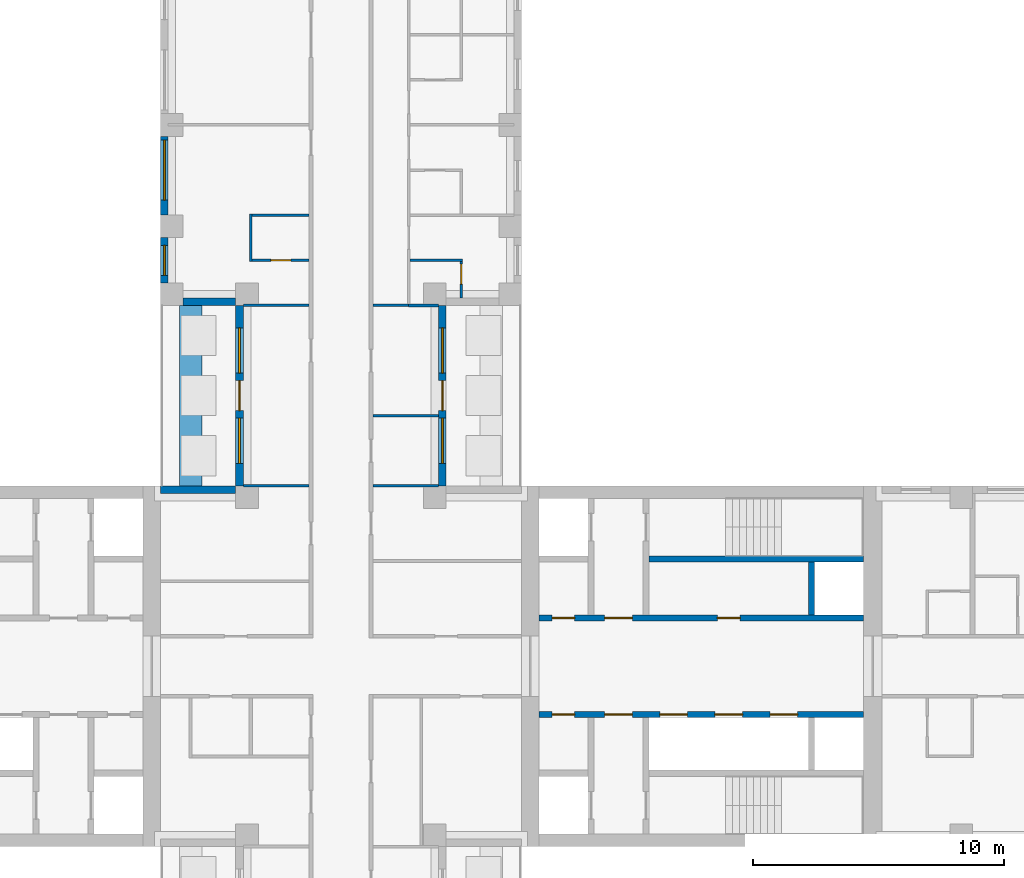
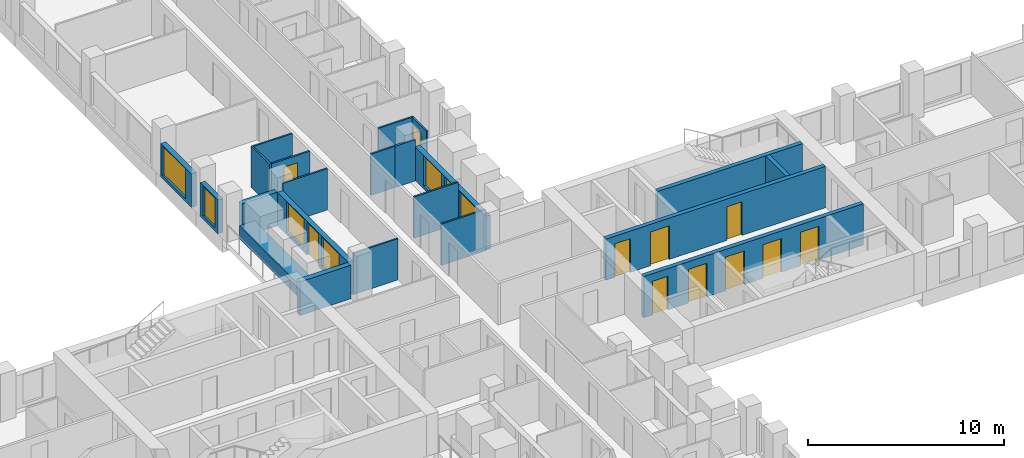
# One storey, part 8 of 15: 22 walls, 12 doors, 6 windows, 18 openings.
"""IFC4 building model written with IfcOpenShell, lengths in metres."""

from ifc_helpers import new_model, si_unit, direction, frame, frame_2d, origin, place, context, subcontext, project, spatial, rectangle, extrude, material, layer, layer_set, type_object, element, fill, save


model = new_model("IFC4")

# Units and contexts
model_context = context("Model", 3, precision=1e-05, world=origin(), true_north=direction((0.0, 1.0)))
body_context = subcontext(model_context, "Body", "Model", "MODEL_VIEW")
ifc_project = project(units=[si_unit("LENGTHUNIT", "METRE"), si_unit("AREAUNIT", "SQUARE_METRE"), si_unit("VOLUMEUNIT", "CUBIC_METRE"), si_unit("PLANEANGLEUNIT", "RADIAN"), si_unit("MASSUNIT", "GRAM", prefix="KILO")], contexts=[model_context])

# Site, building, storey
site_placement = place(None, origin())
site = spatial("IfcSite", under=ifc_project, at=site_placement, CompositionType="ELEMENT")
building_placement = place(site_placement, origin())
building = spatial("IfcBuilding", under=site, at=building_placement, Name="Fustian Cross Tower", CompositionType="ELEMENT")
storey_placement = place(building_placement, frame((0.0, 0.0, 35.699951171875)))
storey = spatial("IfcBuildingStorey", under=building, at=storey_placement, Name="L10", CompositionType="ELEMENT", Elevation=35.699951171875)

# Wall, openings, doors
ifc_material_1 = material(Name="Concrete C50/60", Category="concrete")
ifc_layer_1 = layer(ifc_material_1, 0.25)
ifc_layer_set_1 = layer_set([ifc_layer_1], Name="Concrete C50/60")
wall_type_1 = type_object("IfcWallType", Name="CORE LOBBY WALL 250 C50/60", PredefinedType="SHEAR", material=ifc_layer_set_1)
wall_1_placement = place(storey_placement, frame((7.89990234375, 1.925048828125, 0.0), z_axis=(0.0, 0.0, 1.0), x_axis=(1.0, 0.0, 0.0)))
wall_1 = element("IfcWall", 1, at=wall_1_placement, inside=storey, type_object=wall_type_1, Name="Core lobby wall", PredefinedType="SHEAR", context=body_context, shape_type="SweptSolid", body=[
    extrude(rectangle(XDim=12.9501953125, YDim=0.25, at=frame_2d((6.47509765625, 0.0))), origin(), (0.0, 0.0, 1.0), 2.574951171875),
])
opening_1_placement = place(wall_1_placement, frame((0.52490234375, 0.0, 0.0)))
opening_1 = element("IfcOpeningElement", 2, at=opening_1_placement, cuts=wall_1, Name="Opening CD-04-08", PredefinedType="OPENING", context=body_context, shape_type="SweptSolid", body=[
    extrude(rectangle(XDim=0.89990234375, YDim=2.10009765625, at=frame_2d((0.449951171875, 1.050048828125))), frame((0.0, 0.135009765625, 0.0), z_axis=(0.0, -1.0, 0.0), x_axis=(1.0, 0.0, 0.0)), (0.0, 0.0, 1.0), 0.27001953125),
])
opening_2_placement = place(wall_1_placement, frame((2.625, 0.0, 0.0)))
opening_2 = element("IfcOpeningElement", 3, at=opening_2_placement, cuts=wall_1, Name="Opening CD-04-10", PredefinedType="OPENING", context=body_context, shape_type="SweptSolid", body=[
    extrude(rectangle(XDim=1.10009765625, YDim=2.10009765625, at=frame_2d((0.550048828125, 1.050048828125))), frame((0.0, 0.135009765625, 0.0), z_axis=(0.0, -1.0, 0.0), x_axis=(1.0, 0.0, 0.0)), (0.0, 0.0, 1.0), 0.27001953125),
])
opening_3_placement = place(wall_1_placement, frame((7.125, 0.0, 0.0)))
opening_3 = element("IfcOpeningElement", 4, at=opening_3_placement, cuts=wall_1, Name="Opening CD-04-14", PredefinedType="OPENING", context=body_context, shape_type="SweptSolid", body=[
    extrude(rectangle(XDim=0.89990234375, YDim=2.10009765625, at=frame_2d((0.449951171875, 1.050048828125))), frame((0.0, 0.135009765625, 0.0), z_axis=(0.0, -1.0, 0.0), x_axis=(1.0, 0.0, 0.0)), (0.0, 0.0, 1.0), 0.27001953125),
])
ifc_material_2 = material(Name="Steel", Category="steel")
door_type_1 = type_object("IfcDoorType", Name="FIRE DOOR FD30S 900X2100", OperationType="SINGLE_SWING_LEFT", PredefinedType="DOOR", material=ifc_material_2)
door_1_placement = place(opening_3_placement, origin())
door_1 = element("IfcDoor", 5, at=door_1_placement, inside=storey, type_object=door_type_1, Name="Core door CD-04-14", OperationType="SINGLE_SWING_LEFT", OverallHeight=2.10009765625, OverallWidth=0.89990234375, PredefinedType="DOOR", context=body_context, shape_type="SweptSolid", body=[
    extrude(rectangle(XDim=0.89990234375, YDim=2.10009765625, at=frame_2d((0.449951171875, 1.050048828125))), frame((0.0, 0.02490234375, 0.0), z_axis=(0.0, -1.0, 0.0), x_axis=(1.0, 0.0, 0.0)), (0.0, 0.0, 1.0), 0.050048828125),
])
fill(opening_3, door_1)
ifc_material_3 = material(Name="Steel", Category="steel")
door_type_2 = type_object("IfcDoorType", Name="FIRE DOOR FD60S 1100X2100", OperationType="SINGLE_SWING_LEFT", PredefinedType="DOOR", material=ifc_material_3)
door_2_placement = place(opening_2_placement, frame((1.10009765625, 0.0, 0.0), z_axis=(0.0, 0.0, 1.0), x_axis=(-1.0, 0.0, 0.0)))
door_2 = element("IfcDoor", 6, at=door_2_placement, inside=storey, type_object=door_type_2, Name="Core door CD-04-10", OperationType="SINGLE_SWING_RIGHT", OverallHeight=2.10009765625, OverallWidth=1.10009765625, PredefinedType="DOOR", context=body_context, shape_type="SweptSolid", body=[
    extrude(rectangle(XDim=1.10009765625, YDim=2.10009765625, at=frame_2d((0.550048828125, 1.050048828125))), frame((0.0, 0.02490234375, 0.0), z_axis=(0.0, -1.0, 0.0), x_axis=(1.0, 0.0, 0.0)), (0.0, 0.0, 1.0), 0.050048828125),
])
fill(opening_2, door_2)
ifc_material_4 = material(Name="Steel", Category="steel")
door_type_3 = type_object("IfcDoorType", Name="FIRE DOOR FD60S 900X2100", OperationType="SINGLE_SWING_LEFT", PredefinedType="DOOR", material=ifc_material_4)
door_3_placement = place(opening_1_placement, origin())
door_3 = element("IfcDoor", 7, at=door_3_placement, inside=storey, type_object=door_type_3, Name="Core door CD-04-08", OperationType="SINGLE_SWING_LEFT", OverallHeight=2.10009765625, OverallWidth=0.89990234375, PredefinedType="DOOR", context=body_context, shape_type="SweptSolid", body=[
    extrude(rectangle(XDim=0.89990234375, YDim=2.10009765625, at=frame_2d((0.449951171875, 1.050048828125))), frame((0.0, 0.02490234375, 0.0), z_axis=(0.0, -1.0, 0.0), x_axis=(1.0, 0.0, 0.0)), (0.0, 0.0, 1.0), 0.050048828125),
])
fill(opening_1, door_3)

wall_2_placement = place(storey_placement, frame((7.89990234375, -1.925048828125, 0.0), z_axis=(0.0, 0.0, 1.0), x_axis=(1.0, 0.0, 0.0)))
wall_2 = element("IfcWall", 8, at=wall_2_placement, inside=storey, type_object=wall_type_1, Name="Core lobby wall", PredefinedType="SHEAR", context=body_context, shape_type="SweptSolid", body=[
    extrude(rectangle(XDim=12.9501953125, YDim=0.25, at=frame_2d((6.47509765625, 0.0))), origin(), (0.0, 0.0, 1.0), 2.574951171875),
])
opening_4_placement = place(wall_2_placement, frame((4.824951171875, 0.0, 0.0)))
opening_4 = element("IfcOpeningElement", 9, at=opening_4_placement, cuts=wall_2, Name="Opening LD", PredefinedType="OPENING", context=body_context, shape_type="SweptSolid", body=[
    extrude(rectangle(XDim=1.10009765625, YDim=2.10009765625, at=frame_2d((0.550048828125, 1.050048828125))), frame((0.0, 0.135009765625, 0.0), z_axis=(0.0, -1.0, 0.0), x_axis=(1.0, 0.0, 0.0)), (0.0, 0.0, 1.0), 0.27001953125),
])
opening_5_placement = place(wall_2_placement, frame((7.02490234375, 0.0, 0.0)))
opening_5 = element("IfcOpeningElement", 10, at=opening_5_placement, cuts=wall_2, Name="Opening LD", PredefinedType="OPENING", context=body_context, shape_type="SweptSolid", body=[
    extrude(rectangle(XDim=1.10009765625, YDim=2.10009765625, at=frame_2d((0.550048828125, 1.050048828125))), frame((0.0, 0.135009765625, 0.0), z_axis=(0.0, -1.0, 0.0), x_axis=(1.0, 0.0, 0.0)), (0.0, 0.0, 1.0), 0.27001953125),
])
opening_6_placement = place(wall_2_placement, frame((9.22509765625, 0.0, 0.0)))
opening_6 = element("IfcOpeningElement", 11, at=opening_6_placement, cuts=wall_2, Name="Opening LD", PredefinedType="OPENING", context=body_context, shape_type="SweptSolid", body=[
    extrude(rectangle(XDim=1.10009765625, YDim=2.10009765625, at=frame_2d((0.550048828125, 1.050048828125))), frame((0.0, 0.135009765625, 0.0), z_axis=(0.0, -1.0, 0.0), x_axis=(1.0, 0.0, 0.0)), (0.0, 0.0, 1.0), 0.27001953125),
])
opening_7_placement = place(wall_2_placement, frame((0.52490234375, 0.0, 0.0)))
opening_7 = element("IfcOpeningElement", 12, at=opening_7_placement, cuts=wall_2, Name="Opening CD-04-09", PredefinedType="OPENING", context=body_context, shape_type="SweptSolid", body=[
    extrude(rectangle(XDim=0.89990234375, YDim=2.10009765625, at=frame_2d((0.449951171875, 1.050048828125))), frame((0.0, 0.135009765625, 0.0), z_axis=(0.0, -1.0, 0.0), x_axis=(1.0, 0.0, 0.0)), (0.0, 0.0, 1.0), 0.27001953125),
])
opening_8_placement = place(wall_2_placement, frame((2.625, 0.0, 0.0)))
opening_8 = element("IfcOpeningElement", 13, at=opening_8_placement, cuts=wall_2, Name="Opening CD-04-11", PredefinedType="OPENING", context=body_context, shape_type="SweptSolid", body=[
    extrude(rectangle(XDim=1.10009765625, YDim=2.10009765625, at=frame_2d((0.550048828125, 1.050048828125))), frame((0.0, 0.135009765625, 0.0), z_axis=(0.0, -1.0, 0.0), x_axis=(1.0, 0.0, 0.0)), (0.0, 0.0, 1.0), 0.27001953125),
])
ifc_material_5 = material(Name="Steel", Category="steel")
door_type_4 = type_object("IfcDoorType", Name="FIRE DOOR FD30S 1100X2100", OperationType="SINGLE_SWING_LEFT", PredefinedType="DOOR", material=ifc_material_5)
door_4_placement = place(opening_8_placement, frame((1.10009765625, 0.0, 0.0), z_axis=(0.0, 0.0, 1.0), x_axis=(-1.0, 0.0, 0.0)))
door_4 = element("IfcDoor", 14, at=door_4_placement, inside=storey, type_object=door_type_4, Name="Core door CD-04-11", OperationType="SINGLE_SWING_RIGHT", OverallHeight=2.10009765625, OverallWidth=1.10009765625, PredefinedType="DOOR", context=body_context, shape_type="SweptSolid", body=[
    extrude(rectangle(XDim=1.10009765625, YDim=2.10009765625, at=frame_2d((0.550048828125, 1.050048828125))), frame((0.0, 0.02490234375, 0.0), z_axis=(0.0, -1.0, 0.0), x_axis=(1.0, 0.0, 0.0)), (0.0, 0.0, 1.0), 0.050048828125),
])
fill(opening_8, door_4)
door_5_placement = place(opening_7_placement, frame((0.89990234375, 0.0, 0.0), z_axis=(0.0, 0.0, 1.0), x_axis=(-1.0, 0.0, 0.0)))
door_5 = element("IfcDoor", 15, at=door_5_placement, inside=storey, type_object=door_type_1, Name="Core door CD-04-09", OperationType="SINGLE_SWING_RIGHT", OverallHeight=2.10009765625, OverallWidth=0.89990234375, PredefinedType="DOOR", context=body_context, shape_type="SweptSolid", body=[
    extrude(rectangle(XDim=0.89990234375, YDim=2.10009765625, at=frame_2d((0.449951171875, 1.050048828125))), frame((0.0, 0.02490234375, 0.0), z_axis=(0.0, -1.0, 0.0), x_axis=(1.0, 0.0, 0.0)), (0.0, 0.0, 1.0), 0.050048828125),
])
fill(opening_7, door_5)
ifc_material_6 = material(Name="Stainless steel", Category="steel")
door_type_5 = type_object("IfcDoorType", Name="LIFT LANDING DOOR 1100X2100", OperationType="SLIDING_TO_LEFT", PredefinedType="DOOR", material=ifc_material_6)
door_6_placement = place(opening_4_placement, origin())
door_6 = element("IfcDoor", 16, at=door_6_placement, inside=storey, type_object=door_type_5, Name="Landing door LR1", OperationType="SLIDING_TO_LEFT", OverallHeight=2.10009765625, OverallWidth=1.10009765625, PredefinedType="DOOR", context=body_context, shape_type="SweptSolid", body=[
    extrude(rectangle(XDim=1.10009765625, YDim=2.10009765625, at=frame_2d((0.550048828125, 1.050048828125))), frame((0.0, 0.02490234375, 0.0), z_axis=(0.0, -1.0, 0.0), x_axis=(1.0, 0.0, 0.0)), (0.0, 0.0, 1.0), 0.050048828125),
])
fill(opening_4, door_6)
door_7_placement = place(opening_5_placement, origin())
door_7 = element("IfcDoor", 17, at=door_7_placement, inside=storey, type_object=door_type_5, Name="Landing door LR2", OperationType="SLIDING_TO_LEFT", OverallHeight=2.10009765625, OverallWidth=1.10009765625, PredefinedType="DOOR", context=body_context, shape_type="SweptSolid", body=[
    extrude(rectangle(XDim=1.10009765625, YDim=2.10009765625, at=frame_2d((0.550048828125, 1.050048828125))), frame((0.0, 0.02490234375, 0.0), z_axis=(0.0, -1.0, 0.0), x_axis=(1.0, 0.0, 0.0)), (0.0, 0.0, 1.0), 0.050048828125),
])
fill(opening_5, door_7)
door_8_placement = place(opening_6_placement, origin())
door_8 = element("IfcDoor", 18, at=door_8_placement, inside=storey, type_object=door_type_5, Name="Landing door LR3", OperationType="SLIDING_TO_LEFT", OverallHeight=2.10009765625, OverallWidth=1.10009765625, PredefinedType="DOOR", context=body_context, shape_type="SweptSolid", body=[
    extrude(rectangle(XDim=1.10009765625, YDim=2.10009765625, at=frame_2d((0.550048828125, 1.050048828125))), frame((0.0, 0.02490234375, 0.0), z_axis=(0.0, -1.0, 0.0), x_axis=(1.0, 0.0, 0.0)), (0.0, 0.0, 1.0), 0.050048828125),
])
fill(opening_6, door_8)

# Walls
ifc_material_7 = material(Name="Concrete C50/60", Category="concrete")
ifc_layer_2 = layer(ifc_material_7, 0.25)
ifc_layer_set_2 = layer_set([ifc_layer_2], Name="Concrete C50/60")
wall_type_2 = type_object("IfcWallType", Name="CORE SHAFT WALL 250 C50/60", PredefinedType="SHEAR", material=ifc_layer_set_2)
wall_3_placement = place(storey_placement, frame((12.300048828125, 4.27490234375, 0.0), z_axis=(0.0, 0.0, 1.0), x_axis=(1.0, 0.0, 0.0)))
element("IfcWall", 19, at=wall_3_placement, inside=storey, type_object=wall_type_2, Name="Core shaft wall", PredefinedType="SHEAR", context=body_context, shape_type="SweptSolid", body=[
    extrude(rectangle(XDim=8.550048828125, YDim=0.25, at=frame_2d((4.27490234375, 0.0))), origin(), (0.0, 0.0, 1.0), 2.574951171875),
])
ifc_material_8 = material(Name="Plasterboard on steel stud", Category="steel")
ifc_layer_3 = layer(ifc_material_8, 0.10009765625)
ifc_layer_set_3 = layer_set([ifc_layer_3], Name="Plasterboard on steel stud")
wall_type_3 = type_object("IfcWallType", Name="PARTITION 100 STUD", PredefinedType="PARTITIONING", material=ifc_layer_set_3)
for number, where, z_axis, x_axis, name in (
    (20, (-3.89990234375, 7.199951171875, 0.0), (0.0, 0.0, 1.0), (1.0, 0.0, 0.0), "Partition 27"),
    (21, (-3.89990234375, 14.39990234375, 0.0), (0.0, 0.0, 1.0), (1.0, 0.0, 0.0), "Partition 28"),
):
    element("IfcWall", number, at=place(storey_placement, frame(where, z_axis=z_axis, x_axis=x_axis)), inside=storey, type_object=wall_type_3, Name=name, PredefinedType="PARTITIONING", context=body_context, shape_type="SweptSolid", body=[
        extrude(rectangle(XDim=2.625, YDim=0.10009765625, at=frame_2d((1.3125, 0.0))), origin(), (0.0, 0.0, 1.0), 2.574951171875),
    ])
wall_4_placement = place(storey_placement, frame((-3.60009765625, 16.14990234375, 0.0), z_axis=(0.0, 0.0, 1.0), x_axis=(0.0, 1.0, 0.0)))
element("IfcWall", 22, at=wall_4_placement, inside=storey, type_object=wall_type_3, Name="Partition 33", PredefinedType="PARTITIONING", context=body_context, shape_type="SweptSolid", body=[
    extrude(rectangle(XDim=1.900146484375, YDim=0.10009765625, at=frame_2d((0.9501953125, 0.0))), origin(), (0.0, 0.0, 1.0), 2.574951171875),
])

# Wall, opening, door
wall_5_placement = place(storey_placement, frame((-3.550048828125, 16.199951171875, 0.0), z_axis=(0.0, 0.0, 1.0), x_axis=(1.0, 0.0, 0.0)))
wall_5 = element("IfcWall", 23, at=wall_5_placement, inside=storey, type_object=wall_type_3, Name="Partition 34", PredefinedType="PARTITIONING", context=body_context, shape_type="SweptSolid", body=[
    extrude(rectangle(XDim=2.275146484375, YDim=0.10009765625, at=frame_2d((1.1376953125, 0.0))), origin(), (0.0, 0.0, 1.0), 2.574951171875),
])
opening_9_placement = place(wall_5_placement, frame((0.75, 0.0, 0.0)))
opening_9 = element("IfcOpeningElement", 24, at=opening_9_placement, cuts=wall_5, Name="Opening D07021", PredefinedType="OPENING", context=body_context, shape_type="SweptSolid", body=[
    extrude(rectangle(XDim=0.800048828125, YDim=2.10009765625, at=frame_2d((0.39990234375, 1.050048828125))), frame((0.0, 0.06005859375, 0.0), z_axis=(0.0, -1.0, 0.0), x_axis=(1.0, 0.0, 0.0)), (0.0, 0.0, 1.0), 0.1201171875),
])
ifc_material_9 = material(Name="Painted timber", Category="wood")
door_type_6 = type_object("IfcDoorType", Name="SWING DOOR 800", OperationType="SINGLE_SWING_LEFT", PredefinedType="DOOR", material=ifc_material_9)
door_9_placement = place(opening_9_placement, origin())
door_9 = element("IfcDoor", 25, at=door_9_placement, inside=storey, type_object=door_type_6, Name="Door D07021", OperationType="SINGLE_SWING_LEFT", OverallHeight=2.10009765625, OverallWidth=0.800048828125, PredefinedType="DOOR", context=body_context, shape_type="SweptSolid", body=[
    extrude(rectangle(XDim=0.800048828125, YDim=2.10009765625, at=frame_2d((0.39990234375, 1.050048828125))), frame((0.0, 0.02490234375, 0.0), z_axis=(0.0, -1.0, 0.0), x_axis=(1.0, 0.0, 0.0)), (0.0, 0.0, 1.0), 0.050048828125),
])
fill(opening_9, door_9)

# Walls
wall_6_placement = place(storey_placement, frame((-3.550048828125, 18.0, 0.0), z_axis=(0.0, 0.0, 1.0), x_axis=(1.0, 0.0, 0.0)))
element("IfcWall", 26, at=wall_6_placement, inside=storey, type_object=wall_type_3, Name="Partition 35", PredefinedType="PARTITIONING", context=body_context, shape_type="SweptSolid", body=[
    extrude(rectangle(XDim=2.275146484375, YDim=0.10009765625, at=frame_2d((1.1376953125, 0.0))), origin(), (0.0, 0.0, 1.0), 2.574951171875),
])
for number, where, z_axis, x_axis, name in (
    (27, (1.27490234375, 7.199951171875, 0.0), (0.0, 0.0, 1.0), (1.0, 0.0, 0.0), "Partition 55"),
    (28, (1.27490234375, 10.0, 0.0), (0.0, 0.0, 1.0), (1.0, 0.0, 0.0), "Partition 56"),
):
    element("IfcWall", number, at=place(storey_placement, frame(where, z_axis=z_axis, x_axis=x_axis)), inside=storey, type_object=wall_type_3, Name=name, PredefinedType="PARTITIONING", context=body_context, shape_type="SweptSolid", body=[
        extrude(rectangle(XDim=2.625, YDim=0.10009765625, at=frame_2d((1.3125, 0.0))), origin(), (0.0, 0.0, 1.0), 2.574951171875),
    ])
wall_7_placement = place(storey_placement, frame((1.27490234375, 14.39990234375, 0.0), z_axis=(0.0, 0.0, 1.0), x_axis=(1.0, 0.0, 0.0)))
element("IfcWall", 29, at=wall_7_placement, inside=storey, type_object=wall_type_3, Name="Partition 57", PredefinedType="PARTITIONING", context=body_context, shape_type="SweptSolid", body=[
    extrude(rectangle(XDim=1.425048828125, YDim=0.10009765625, at=frame_2d((0.71240234375, 0.0))), origin(), (0.0, 0.0, 1.0), 2.574951171875),
])
wall_8_placement = place(storey_placement, frame((2.75, 16.199951171875, 0.0), z_axis=(0.0, 0.0, 1.0), x_axis=(1.0, 0.0, 0.0)))
element("IfcWall", 30, at=wall_8_placement, inside=storey, type_object=wall_type_3, Name="Partition 61", PredefinedType="PARTITIONING", context=body_context, shape_type="SweptSolid", body=[
    extrude(rectangle(XDim=2.10009765625, YDim=0.10009765625, at=frame_2d((1.050048828125, 0.0))), origin(), (0.0, 0.0, 1.0), 2.574951171875),
])

# Wall, opening, door
wall_9_placement = place(storey_placement, frame((4.800048828125, 14.699951171875, 0.0), z_axis=(0.0, 0.0, 1.0), x_axis=(0.0, 1.0, 0.0)))
wall_9 = element("IfcWall", 31, at=wall_9_placement, inside=storey, type_object=wall_type_3, Name="Partition 73", PredefinedType="PARTITIONING", context=body_context, shape_type="SweptSolid", body=[
    extrude(rectangle(XDim=1.449951171875, YDim=0.10009765625, at=frame_2d((0.72509765625, 0.0))), origin(), (0.0, 0.0, 1.0), 2.574951171875),
])
opening_10_placement = place(wall_9_placement, frame((0.550048828125, 0.0, 0.0)))
opening_10 = element("IfcOpeningElement", 32, at=opening_10_placement, cuts=wall_9, Name="Opening D07036", PredefinedType="OPENING", context=body_context, shape_type="SweptSolid", body=[
    extrude(rectangle(XDim=0.800048828125, YDim=2.10009765625, at=frame_2d((0.39990234375, 1.050048828125))), frame((0.0, 0.06005859375, 0.0), z_axis=(0.0, -1.0, 0.0), x_axis=(1.0, 0.0, 0.0)), (0.0, 0.0, 1.0), 0.1201171875),
])
door_10_placement = place(opening_10_placement, frame((0.800048828125, 0.0, 0.0), z_axis=(0.0, 0.0, 1.0), x_axis=(-1.0, 0.0, 0.0)))
door_10 = element("IfcDoor", 33, at=door_10_placement, inside=storey, type_object=door_type_6, Name="Door D07036", OperationType="SINGLE_SWING_RIGHT", OverallHeight=2.10009765625, OverallWidth=0.800048828125, PredefinedType="DOOR", context=body_context, shape_type="SweptSolid", body=[
    extrude(rectangle(XDim=0.800048828125, YDim=2.10009765625, at=frame_2d((0.39990234375, 1.050048828125))), frame((0.0, 0.02490234375, 0.0), z_axis=(0.0, -1.0, 0.0), x_axis=(1.0, 0.0, 0.0)), (0.0, 0.0, 1.0), 0.050048828125),
])
fill(opening_10, door_10)

# Walls
ifc_material_10 = material(Name="Concrete C40/50", Category="concrete")
ifc_layer_4 = layer(ifc_material_10, 0.89990234375)
ifc_layer_set_4 = layer_set([ifc_layer_4], Name="Concrete C40/50")
wall_type_4 = type_object("IfcWallType", Name="PK1 PLANTER 900", PredefinedType="PARAPET", material=ifc_layer_set_4)
wall_10_placement = place(storey_placement, frame((-6.0, 7.199951171875, 0.0), z_axis=(0.0, 0.0, 1.0), x_axis=(0.0, 1.0, 0.0)))
element("IfcWall", 34, at=wall_10_placement, inside=storey, type_object=wall_type_4, Name="PLANTER", PredefinedType="PARAPET", context=body_context, shape_type="SweptSolid", body=[
    extrude(rectangle(XDim=7.199951171875, YDim=0.89990234375, at=frame_2d((3.60009765625, 0.0))), origin(), (0.0, 0.0, 1.0), 0.800048828125),
])
ifc_material_11 = material(Name="Concrete C40/50", Category="concrete")
ifc_layer_5 = layer(ifc_material_11, 0.25)
ifc_layer_set_5 = layer_set([ifc_layer_5], Name="Concrete C40/50")
wall_type_5 = type_object("IfcWallType", Name="SHAFT PARTITION WALL 250 C40/50", PredefinedType="PARTITIONING", material=ifc_layer_set_5)
wall_11_placement = place(storey_placement, frame((18.77490234375, 2.050048828125, 0.0), z_axis=(0.0, 0.0, 1.0), x_axis=(0.0, 1.0, 0.0)))
element("IfcWall", 35, at=wall_11_placement, inside=storey, type_object=wall_type_5, Name="Core shaft wall", PredefinedType="PARTITIONING", context=body_context, shape_type="SweptSolid", body=[
    extrude(rectangle(XDim=2.099853515625, YDim=0.25, at=frame_2d((1.0498046875, 0.0))), origin(), (0.0, 0.0, 1.0), 2.574951171875),
])
ifc_material_12 = material(Name="Plasterboard on steel stud", Category="steel")
ifc_layer_6 = layer(ifc_material_12, 0.125)
ifc_layer_set_6 = layer_set([ifc_layer_6], Name="Plasterboard on steel stud")
wall_type_6 = type_object("IfcWallType", Name="WET WALL 125 STUD", PredefinedType="PARTITIONING", material=ifc_layer_set_6)
wall_12_placement = place(storey_placement, frame((2.699951171875, 14.39990234375, 0.0), z_axis=(0.0, 0.0, 1.0), x_axis=(1.0, 0.0, 0.0)))
element("IfcWall", 36, at=wall_12_placement, inside=storey, type_object=wall_type_6, Name="Partition 60", PredefinedType="PARTITIONING", context=body_context, shape_type="SweptSolid", body=[
    extrude(rectangle(XDim=1.199951171875, YDim=0.125, at=frame_2d((0.60009765625, 0.0))), origin(), (0.0, 0.0, 1.0), 2.574951171875),
])

# Wall, openings, door, windows
ifc_material_13 = material(Name="Dark aluminium cladding on insulated backing wall", Category="aluminium")
ifc_layer_7 = layer(ifc_material_13, 0.300048828125)
ifc_layer_set_7 = layer_set([ifc_layer_7], Name="Dark aluminium cladding on insulated backing wall")
wall_type_7 = type_object("IfcWallType", Name="XW1 EXTERNAL WALL 300", PredefinedType="SOLIDWALL", material=ifc_layer_set_7)
wall_13_placement = place(storey_placement, frame((4.050048828125, 7.199951171875, 0.0), z_axis=(0.0, 0.0, 1.0), x_axis=(0.0, 1.0, 0.0)))
wall_13 = element("IfcWall", 37, at=wall_13_placement, inside=storey, type_object=wall_type_7, Name="External wall", PredefinedType="SOLIDWALL", context=body_context, shape_type="SweptSolid", body=[
    extrude(rectangle(XDim=7.199951171875, YDim=0.300048828125, at=frame_2d((3.60009765625, 0.0))), origin(), (0.0, 0.0, 1.0), 2.10009765625),
])
opening_11_placement = place(wall_13_placement, frame((3.0, 0.0, 0.0)))
opening_11 = element("IfcOpeningElement", 38, at=opening_11_placement, cuts=wall_13, Name="Opening XD1", PredefinedType="OPENING", context=body_context, shape_type="SweptSolid", body=[
    extrude(rectangle(XDim=1.199951171875, YDim=2.050048828125, at=frame_2d((0.60009765625, 1.02490234375))), frame((0.0, 0.159912109375, 0.0), z_axis=(0.0, -1.0, 0.0), x_axis=(1.0, 0.0, 0.0)), (0.0, 0.0, 1.0), 0.320068359375),
])
opening_12_placement = place(wall_13_placement, frame((0.89990234375, 0.0, 0.199951171875)))
opening_12 = element("IfcOpeningElement", 39, at=opening_12_placement, cuts=wall_13, Name="Opening WN2", PredefinedType="OPENING", context=body_context, shape_type="SweptSolid", body=[
    extrude(rectangle(XDim=1.800048828125, YDim=1.85009765625, at=frame_2d((0.89990234375, 0.925048828125))), frame((0.0, 0.159912109375, 0.0), z_axis=(0.0, -1.0, 0.0), x_axis=(1.0, 0.0, 0.0)), (0.0, 0.0, 1.0), 0.320068359375),
])
opening_13_placement = place(wall_13_placement, frame((4.5, 0.0, 0.199951171875)))
opening_13 = element("IfcOpeningElement", 40, at=opening_13_placement, cuts=wall_13, Name="Opening WN2", PredefinedType="OPENING", context=body_context, shape_type="SweptSolid", body=[
    extrude(rectangle(XDim=1.800048828125, YDim=1.85009765625, at=frame_2d((0.89990234375, 0.925048828125))), frame((0.0, 0.159912109375, 0.0), z_axis=(0.0, -1.0, 0.0), x_axis=(1.0, 0.0, 0.0)), (0.0, 0.0, 1.0), 0.320068359375),
])
ifc_material_14 = material(Name="Dark anodised aluminium and double glazing", Category="aluminium")
door_type_7 = type_object("IfcDoorType", Name="ED1 BALCONY DOOR 1200X2050", OperationType="SINGLE_SWING_LEFT", PredefinedType="DOOR", material=ifc_material_14)
door_11_placement = place(opening_11_placement, origin())
door_11 = element("IfcDoor", 41, at=door_11_placement, inside=storey, type_object=door_type_7, Name="Balcony door", OperationType="SINGLE_SWING_LEFT", OverallHeight=2.050048828125, OverallWidth=1.199951171875, PredefinedType="DOOR", context=body_context, shape_type="SweptSolid", body=[
    extrude(rectangle(XDim=1.199951171875, YDim=2.050048828125, at=frame_2d((0.60009765625, 1.02490234375))), frame((0.0, 0.02490234375, 0.0), z_axis=(0.0, -1.0, 0.0), x_axis=(1.0, 0.0, 0.0)), (0.0, 0.0, 1.0), 0.050048828125),
])
fill(opening_11, door_11)
ifc_material_15 = material(Name="Dark anodised aluminium and double glazing", Category="aluminium")
window_type_1 = type_object("IfcWindowType", Name="WN2 WINDOW 1800X1850", PartitioningType="SINGLE_PANEL", PredefinedType="WINDOW", material=ifc_material_15)
window_1_placement = place(opening_12_placement, origin())
window_1 = element("IfcWindow", 42, at=window_1_placement, inside=storey, type_object=window_type_1, Name="Window", OverallHeight=1.85009765625, OverallWidth=1.800048828125, PartitioningType="SINGLE_PANEL", PredefinedType="WINDOW", context=body_context, shape_type="SweptSolid", body=[
    extrude(rectangle(XDim=1.800048828125, YDim=1.85009765625, at=frame_2d((0.89990234375, 0.925048828125))), frame((0.0, 0.030029296875, 0.0), z_axis=(0.0, -1.0, 0.0), x_axis=(1.0, 0.0, 0.0)), (0.0, 0.0, 1.0), 0.06005859375),
])
fill(opening_12, window_1)
window_2_placement = place(opening_13_placement, origin())
window_2 = element("IfcWindow", 43, at=window_2_placement, inside=storey, type_object=window_type_1, Name="Window", OverallHeight=1.85009765625, OverallWidth=1.800048828125, PartitioningType="SINGLE_PANEL", PredefinedType="WINDOW", context=body_context, shape_type="SweptSolid", body=[
    extrude(rectangle(XDim=1.800048828125, YDim=1.85009765625, at=frame_2d((0.89990234375, 0.925048828125))), frame((0.0, 0.030029296875, 0.0), z_axis=(0.0, -1.0, 0.0), x_axis=(1.0, 0.0, 0.0)), (0.0, 0.0, 1.0), 0.06005859375),
])
fill(opening_13, window_2)

# Wall, opening, window
wall_14_placement = place(storey_placement, frame((-7.050048828125, 21.14990234375, 0.0), z_axis=(0.0, 0.0, 1.0), x_axis=(0.0, -1.0, 0.0)))
wall_14 = element("IfcWall", 44, at=wall_14_placement, inside=storey, type_object=wall_type_7, Name="External wall", PredefinedType="SOLIDWALL", context=body_context, shape_type="SweptSolid", body=[
    extrude(rectangle(XDim=3.14990234375, YDim=0.300048828125, at=frame_2d((1.574951171875, 0.0))), origin(), (0.0, 0.0, 1.0), 2.10009765625),
])
opening_14_placement = place(wall_14_placement, frame((0.14990234375, 0.0, 0.199951171875)))
opening_14 = element("IfcOpeningElement", 45, at=opening_14_placement, cuts=wall_14, Name="Opening WN1", PredefinedType="OPENING", context=body_context, shape_type="SweptSolid", body=[
    extrude(rectangle(XDim=2.39990234375, YDim=1.85009765625, at=frame_2d((1.199951171875, 0.925048828125))), frame((0.0, 0.159912109375, 0.0), z_axis=(0.0, -1.0, 0.0), x_axis=(1.0, 0.0, 0.0)), (0.0, 0.0, 1.0), 0.320068359375),
])
ifc_material_16 = material(Name="Dark anodised aluminium and double glazing", Category="aluminium")
window_type_2 = type_object("IfcWindowType", Name="WN1 WINDOW 2400X1850", PartitioningType="SINGLE_PANEL", PredefinedType="WINDOW", material=ifc_material_16)
window_3_placement = place(opening_14_placement, origin())
window_3 = element("IfcWindow", 46, at=window_3_placement, inside=storey, type_object=window_type_2, Name="Window", OverallHeight=1.85009765625, OverallWidth=2.39990234375, PartitioningType="SINGLE_PANEL", PredefinedType="WINDOW", context=body_context, shape_type="SweptSolid", body=[
    extrude(rectangle(XDim=2.39990234375, YDim=1.85009765625, at=frame_2d((1.199951171875, 0.925048828125))), frame((0.0, 0.030029296875, 0.0), z_axis=(0.0, -1.0, 0.0), x_axis=(1.0, 0.0, 0.0)), (0.0, 0.0, 1.0), 0.06005859375),
])
fill(opening_14, window_3)

wall_15_placement = place(storey_placement, frame((-7.050048828125, 17.10009765625, 0.0), z_axis=(0.0, 0.0, 1.0), x_axis=(0.0, -1.0, 0.0)))
wall_15 = element("IfcWall", 47, at=wall_15_placement, inside=storey, type_object=wall_type_7, Name="External wall", PredefinedType="SOLIDWALL", context=body_context, shape_type="SweptSolid", body=[
    extrude(rectangle(XDim=1.800048828125, YDim=0.300048828125, at=frame_2d((0.89990234375, 0.0))), origin(), (0.0, 0.0, 1.0), 2.10009765625),
])
opening_15_placement = place(wall_15_placement, frame((0.300048828125, 0.0, 0.199951171875)))
opening_15 = element("IfcOpeningElement", 48, at=opening_15_placement, cuts=wall_15, Name="Opening WN3", PredefinedType="OPENING", context=body_context, shape_type="SweptSolid", body=[
    extrude(rectangle(XDim=1.199951171875, YDim=1.85009765625, at=frame_2d((0.60009765625, 0.925048828125))), frame((0.0, 0.159912109375, 0.0), z_axis=(0.0, -1.0, 0.0), x_axis=(1.0, 0.0, 0.0)), (0.0, 0.0, 1.0), 0.320068359375),
])
ifc_material_17 = material(Name="Dark anodised aluminium and double glazing", Category="aluminium")
window_type_3 = type_object("IfcWindowType", Name="WN3 WINDOW 1200X1850", PartitioningType="SINGLE_PANEL", PredefinedType="WINDOW", material=ifc_material_17)
window_4_placement = place(opening_15_placement, origin())
window_4 = element("IfcWindow", 49, at=window_4_placement, inside=storey, type_object=window_type_3, Name="Window", OverallHeight=1.85009765625, OverallWidth=1.199951171875, PartitioningType="SINGLE_PANEL", PredefinedType="WINDOW", context=body_context, shape_type="SweptSolid", body=[
    extrude(rectangle(XDim=1.199951171875, YDim=1.85009765625, at=frame_2d((0.60009765625, 0.925048828125))), frame((0.0, 0.030029296875, 0.0), z_axis=(0.0, -1.0, 0.0), x_axis=(1.0, 0.0, 0.0)), (0.0, 0.0, 1.0), 0.06005859375),
])
fill(opening_15, window_4)

# Wall
wall_16_placement = place(storey_placement, frame((-6.300048828125, 14.550048828125, 0.0), z_axis=(0.0, 0.0, 1.0), x_axis=(1.0, 0.0, 0.0)))
element("IfcWall", 50, at=wall_16_placement, inside=storey, type_object=wall_type_7, Name="External wall", PredefinedType="SOLIDWALL", context=body_context, shape_type="SweptSolid", body=[
    extrude(rectangle(XDim=2.10009765625, YDim=0.300048828125, at=frame_2d((1.050048828125, 0.0))), origin(), (0.0, 0.0, 1.0), 2.10009765625),
])

# Wall, openings, door, windows
wall_17_placement = place(storey_placement, frame((-4.050048828125, 14.39990234375, 0.0), z_axis=(0.0, 0.0, 1.0), x_axis=(0.0, -1.0, 0.0)))
wall_17 = element("IfcWall", 51, at=wall_17_placement, inside=storey, type_object=wall_type_7, Name="External wall", PredefinedType="SOLIDWALL", context=body_context, shape_type="SweptSolid", body=[
    extrude(rectangle(XDim=7.199951171875, YDim=0.300048828125, at=frame_2d((3.60009765625, 0.0))), origin(), (0.0, 0.0, 1.0), 2.10009765625),
])
opening_16_placement = place(wall_17_placement, frame((3.0, 0.0, 0.0)))
opening_16 = element("IfcOpeningElement", 52, at=opening_16_placement, cuts=wall_17, Name="Opening XD2", PredefinedType="OPENING", context=body_context, shape_type="SweptSolid", body=[
    extrude(rectangle(XDim=1.199951171875, YDim=2.050048828125, at=frame_2d((0.60009765625, 1.02490234375))), frame((0.0, 0.159912109375, 0.0), z_axis=(0.0, -1.0, 0.0), x_axis=(1.0, 0.0, 0.0)), (0.0, 0.0, 1.0), 0.320068359375),
])
opening_17_placement = place(wall_17_placement, frame((0.89990234375, 0.0, 0.199951171875)))
opening_17 = element("IfcOpeningElement", 53, at=opening_17_placement, cuts=wall_17, Name="Opening WN2", PredefinedType="OPENING", context=body_context, shape_type="SweptSolid", body=[
    extrude(rectangle(XDim=1.800048828125, YDim=1.85009765625, at=frame_2d((0.89990234375, 0.925048828125))), frame((0.0, 0.159912109375, 0.0), z_axis=(0.0, -1.0, 0.0), x_axis=(1.0, 0.0, 0.0)), (0.0, 0.0, 1.0), 0.320068359375),
])
opening_18_placement = place(wall_17_placement, frame((4.5, 0.0, 0.199951171875)))
opening_18 = element("IfcOpeningElement", 54, at=opening_18_placement, cuts=wall_17, Name="Opening WN2", PredefinedType="OPENING", context=body_context, shape_type="SweptSolid", body=[
    extrude(rectangle(XDim=1.800048828125, YDim=1.85009765625, at=frame_2d((0.89990234375, 0.925048828125))), frame((0.0, 0.159912109375, 0.0), z_axis=(0.0, -1.0, 0.0), x_axis=(1.0, 0.0, 0.0)), (0.0, 0.0, 1.0), 0.320068359375),
])
door_12_placement = place(opening_16_placement, origin())
door_12 = element("IfcDoor", 55, at=door_12_placement, inside=storey, type_object=door_type_7, Name="Balcony door", OperationType="SINGLE_SWING_LEFT", OverallHeight=2.050048828125, OverallWidth=1.199951171875, PredefinedType="DOOR", context=body_context, shape_type="SweptSolid", body=[
    extrude(rectangle(XDim=1.199951171875, YDim=2.050048828125, at=frame_2d((0.60009765625, 1.02490234375))), frame((0.0, 0.02490234375, 0.0), z_axis=(0.0, -1.0, 0.0), x_axis=(1.0, 0.0, 0.0)), (0.0, 0.0, 1.0), 0.050048828125),
])
fill(opening_16, door_12)
window_5_placement = place(opening_17_placement, origin())
window_5 = element("IfcWindow", 56, at=window_5_placement, inside=storey, type_object=window_type_1, Name="Window", OverallHeight=1.85009765625, OverallWidth=1.800048828125, PartitioningType="SINGLE_PANEL", PredefinedType="WINDOW", context=body_context, shape_type="SweptSolid", body=[
    extrude(rectangle(XDim=1.800048828125, YDim=1.85009765625, at=frame_2d((0.89990234375, 0.925048828125))), frame((0.0, 0.030029296875, 0.0), z_axis=(0.0, -1.0, 0.0), x_axis=(1.0, 0.0, 0.0)), (0.0, 0.0, 1.0), 0.06005859375),
])
fill(opening_17, window_5)
window_6_placement = place(opening_18_placement, origin())
window_6 = element("IfcWindow", 57, at=window_6_placement, inside=storey, type_object=window_type_1, Name="Window", OverallHeight=1.85009765625, OverallWidth=1.800048828125, PartitioningType="SINGLE_PANEL", PredefinedType="WINDOW", context=body_context, shape_type="SweptSolid", body=[
    extrude(rectangle(XDim=1.800048828125, YDim=1.85009765625, at=frame_2d((0.89990234375, 0.925048828125))), frame((0.0, 0.030029296875, 0.0), z_axis=(0.0, -1.0, 0.0), x_axis=(1.0, 0.0, 0.0)), (0.0, 0.0, 1.0), 0.06005859375),
])
fill(opening_18, window_6)

# Wall
wall_18_placement = place(storey_placement, frame((-4.199951171875, 7.050048828125, 0.0), z_axis=(0.0, 0.0, 1.0), x_axis=(-1.0, 0.0, 0.0)))
element("IfcWall", 58, at=wall_18_placement, inside=storey, type_object=wall_type_7, Name="External wall", PredefinedType="SOLIDWALL", context=body_context, shape_type="SweptSolid", body=[
    extrude(rectangle(XDim=3.0, YDim=0.300048828125, at=frame_2d((1.5, 0.0))), origin(), (0.0, 0.0, 1.0), 2.10009765625),
])

save(model, "model.ifc")
